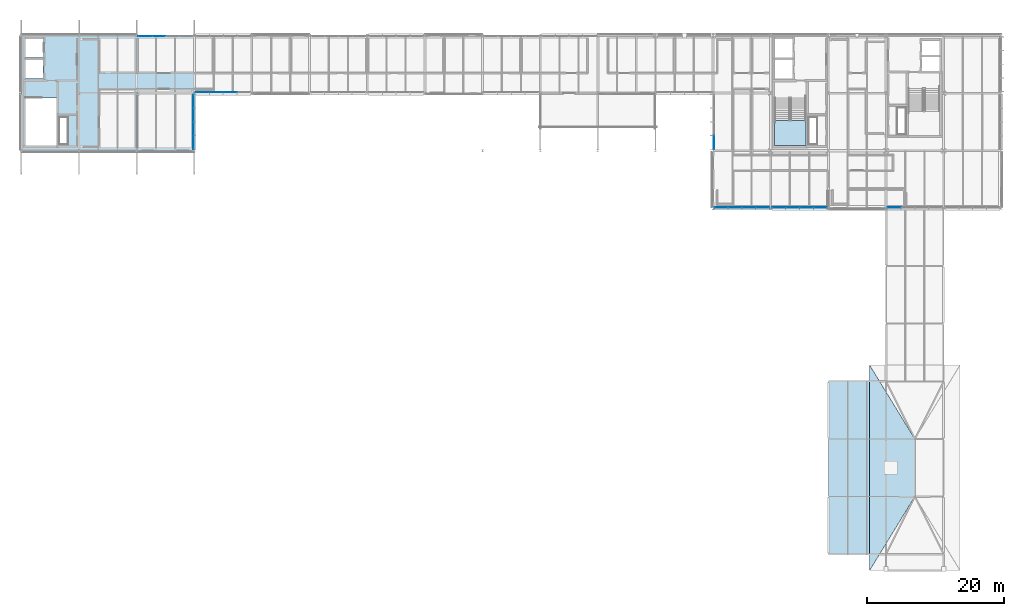
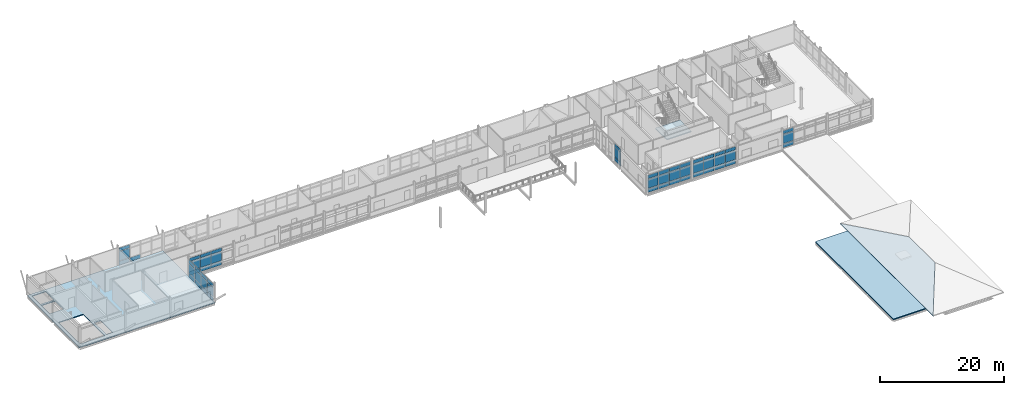
# One storey, part 41 of 57: 55 plates, 4 slabs, 9 elements without a shape of their own.
"""IFC4 building model written with IfcOpenShell, lengths in metres."""

from ifc_helpers import new_model, si_unit, direction, frame, origin, origin_2d, place, context, subcontext, project, spatial, polyline, rectangle, outline, extrude, material, layer, layer_set, type_object, element, aggregate, save


model = new_model("IFC4")

# Units and contexts
model_context = context("Model", 3, precision=1e-05, world=origin(), true_north=direction((0.0, 1.0)))
body_context = subcontext(model_context, "Body", "Model", "MODEL_VIEW")
ifc_project = project(units=[si_unit("LENGTHUNIT", "METRE"), si_unit("AREAUNIT", "SQUARE_METRE"), si_unit("VOLUMEUNIT", "CUBIC_METRE"), si_unit("PLANEANGLEUNIT", "RADIAN"), si_unit("MASSUNIT", "GRAM", prefix="KILO")], contexts=[model_context])

# Site, building, storey
site_placement = place(None, origin())
site = spatial("IfcSite", under=ifc_project, at=site_placement, CompositionType="ELEMENT")
building_placement = place(site_placement, origin())
building = spatial("IfcBuilding", under=site, at=building_placement, Name="Mersafa Astral City Hall", CompositionType="ELEMENT")
storey_placement = place(building_placement, frame((0.0, 0.0, 26.10009765625)))
storey = spatial("IfcBuildingStorey", under=building, at=storey_placement, Name="L06", CompositionType="ELEMENT", Elevation=26.10009765625)

# Curtain wall, plates
ifc_material_1 = material(Name="Anodised bronze aluminium framing", Category="aluminium")
curtain_wall_type_1 = type_object("IfcCurtainWallType", Name="ENV-CW-1", PredefinedType="USERDEFINED", material=ifc_material_1)
curtain_wall_1_placement = place(storey_placement, origin())
curtain_wall_1 = element("IfcCurtainWall", 1, at=curtain_wall_1_placement, inside=storey, type_object=curtain_wall_type_1, Name="L06 Unitised solar curtain wall 252", ObjectType="UNITISED CURTAIN WALL", PredefinedType="USERDEFINED")
ifc_material_2 = material(Name="Solar control low-e double glazing", Category="glass")
ifc_layer_1 = layer(ifc_material_2, 0.028076171875, Name="Solar control low-e double glazing")
ifc_layer_set_1 = layer_set([ifc_layer_1], Name="Solar control low-e double glazing — ENV-CW-PNL-GLZ-1")
plate_type_1 = type_object("IfcPlateType", Name="ENV-CW-PNL-GLZ-1", PredefinedType="CURTAIN_PANEL", material=ifc_layer_set_1)
plate_1_placement = place(storey_placement, frame((152.386474609375, 100.919921875, 0.05810546875), z_axis=(0.0, 0.0, 1.0), x_axis=(1.0, 0.0, 0.0)))
plate_1 = element("IfcPlate", 2, at=plate_1_placement, type_object=plate_type_1, Name="CW-1 panel 1.1", PredefinedType="CURTAIN_PANEL", context=body_context, shape_type="SweptSolid", body=[
    extrude(rectangle(XDim=1.928955078125, YDim=0.028076171875, at=origin_2d()), origin(), (0.0, 0.0, 1.0), 0.761962890625),
])
plate_2_placement = place(storey_placement, frame((152.386474609375, 100.919921875, 0.8798828125), z_axis=(0.0, 0.0, 1.0), x_axis=(1.0, 0.0, 0.0)))
plate_2 = element("IfcPlate", 3, at=plate_2_placement, type_object=plate_type_1, Name="CW-1 panel 1.2", PredefinedType="CURTAIN_PANEL", context=body_context, shape_type="SweptSolid", body=[
    extrude(rectangle(XDim=1.928955078125, YDim=0.028076171875, at=origin_2d()), origin(), (0.0, 0.0, 1.0), 1.840087890625),
])
plate_3_placement = place(storey_placement, frame((152.386474609375, 100.919921875, 2.77978515625), z_axis=(0.0, 0.0, 1.0), x_axis=(1.0, 0.0, 0.0)))
plate_3 = element("IfcPlate", 4, at=plate_3_placement, type_object=plate_type_1, Name="CW-1 panel 1.3", PredefinedType="CURTAIN_PANEL", context=body_context, shape_type="SweptSolid", body=[
    extrude(rectangle(XDim=1.928955078125, YDim=0.028076171875, at=origin_2d()), origin(), (0.0, 0.0, 1.0), 0.672119140625),
])
plate_4_placement = place(storey_placement, frame((154.390380859375, 100.919921875, 0.05810546875), z_axis=(0.0, 0.0, 1.0), x_axis=(1.0, 0.0, 0.0)))
plate_4 = element("IfcPlate", 5, at=plate_4_placement, type_object=plate_type_1, Name="CW-1 panel 2.1", PredefinedType="CURTAIN_PANEL", context=body_context, shape_type="SweptSolid", body=[
    extrude(rectangle(XDim=1.958984375, YDim=0.028076171875, at=origin_2d()), origin(), (0.0, 0.0, 1.0), 0.761962890625),
])
plate_5_placement = place(storey_placement, frame((154.390380859375, 100.919921875, 0.8798828125), z_axis=(0.0, 0.0, 1.0), x_axis=(1.0, 0.0, 0.0)))
plate_5 = element("IfcPlate", 6, at=plate_5_placement, type_object=plate_type_1, Name="CW-1 panel 2.2", PredefinedType="CURTAIN_PANEL", context=body_context, shape_type="SweptSolid", body=[
    extrude(rectangle(XDim=1.958984375, YDim=0.028076171875, at=origin_2d()), origin(), (0.0, 0.0, 1.0), 1.840087890625),
])
plate_6_placement = place(storey_placement, frame((154.390380859375, 100.919921875, 2.77978515625), z_axis=(0.0, 0.0, 1.0), x_axis=(1.0, 0.0, 0.0)))
plate_6 = element("IfcPlate", 7, at=plate_6_placement, type_object=plate_type_1, Name="CW-1 panel 2.3", PredefinedType="CURTAIN_PANEL", context=body_context, shape_type="SweptSolid", body=[
    extrude(rectangle(XDim=1.958984375, YDim=0.028076171875, at=origin_2d()), origin(), (0.0, 0.0, 1.0), 0.672119140625),
])
plate_7_placement = place(storey_placement, frame((156.409423828125, 100.919921875, 0.05810546875), z_axis=(0.0, 0.0, 1.0), x_axis=(1.0, 0.0, 0.0)))
plate_7 = element("IfcPlate", 8, at=plate_7_placement, type_object=plate_type_1, Name="CW-1 panel 3.1", PredefinedType="CURTAIN_PANEL", context=body_context, shape_type="SweptSolid", body=[
    extrude(rectangle(XDim=1.958984375, YDim=0.028076171875, at=origin_2d()), origin(), (0.0, 0.0, 1.0), 0.761962890625),
])
plate_8_placement = place(storey_placement, frame((156.409423828125, 100.919921875, 0.8798828125), z_axis=(0.0, 0.0, 1.0), x_axis=(1.0, 0.0, 0.0)))
plate_8 = element("IfcPlate", 9, at=plate_8_placement, type_object=plate_type_1, Name="CW-1 panel 3.2", PredefinedType="CURTAIN_PANEL", context=body_context, shape_type="SweptSolid", body=[
    extrude(rectangle(XDim=1.958984375, YDim=0.028076171875, at=origin_2d()), origin(), (0.0, 0.0, 1.0), 1.840087890625),
])
plate_9_placement = place(storey_placement, frame((156.409423828125, 100.919921875, 2.77978515625), z_axis=(0.0, 0.0, 1.0), x_axis=(1.0, 0.0, 0.0)))
plate_9 = element("IfcPlate", 10, at=plate_9_placement, type_object=plate_type_1, Name="CW-1 panel 3.3", PredefinedType="CURTAIN_PANEL", context=body_context, shape_type="SweptSolid", body=[
    extrude(rectangle(XDim=1.958984375, YDim=0.028076171875, at=origin_2d()), origin(), (0.0, 0.0, 1.0), 0.672119140625),
])
plate_10_placement = place(storey_placement, frame((158.41357421875, 100.919921875, 0.05810546875), z_axis=(0.0, 0.0, 1.0), x_axis=(1.0, 0.0, 0.0)))
plate_10 = element("IfcPlate", 11, at=plate_10_placement, type_object=plate_type_1, Name="CW-1 panel 4.1", PredefinedType="CURTAIN_PANEL", context=body_context, shape_type="SweptSolid", body=[
    extrude(rectangle(XDim=1.928955078125, YDim=0.028076171875, at=origin_2d()), origin(), (0.0, 0.0, 1.0), 0.761962890625),
])
plate_11_placement = place(storey_placement, frame((158.41357421875, 100.919921875, 0.8798828125), z_axis=(0.0, 0.0, 1.0), x_axis=(1.0, 0.0, 0.0)))
plate_11 = element("IfcPlate", 12, at=plate_11_placement, type_object=plate_type_1, Name="CW-1 panel 4.2", PredefinedType="CURTAIN_PANEL", context=body_context, shape_type="SweptSolid", body=[
    extrude(rectangle(XDim=1.928955078125, YDim=0.028076171875, at=origin_2d()), origin(), (0.0, 0.0, 1.0), 1.840087890625),
])
plate_12_placement = place(storey_placement, frame((158.41357421875, 100.919921875, 2.77978515625), z_axis=(0.0, 0.0, 1.0), x_axis=(1.0, 0.0, 0.0)))
plate_12 = element("IfcPlate", 13, at=plate_12_placement, type_object=plate_type_1, Name="CW-1 panel 4.3", PredefinedType="CURTAIN_PANEL", context=body_context, shape_type="SweptSolid", body=[
    extrude(rectangle(XDim=1.928955078125, YDim=0.028076171875, at=origin_2d()), origin(), (0.0, 0.0, 1.0), 0.672119140625),
])
aggregate(curtain_wall_1, [plate_1, plate_2, plate_3, plate_4, plate_5, plate_6, plate_7, plate_8, plate_9, plate_10, plate_11, plate_12])

curtain_wall_2_placement = place(storey_placement, origin())
curtain_wall_2 = element("IfcCurtainWall", 14, at=curtain_wall_2_placement, inside=storey, type_object=curtain_wall_type_1, Name="L06 Unitised solar curtain wall 264", ObjectType="UNITISED CURTAIN WALL", PredefinedType="USERDEFINED")
plate_13_placement = place(storey_placement, frame((68.386474609375, 117.719970703125, 0.05810546875), z_axis=(0.0, 0.0, 1.0), x_axis=(1.0, 0.0, 0.0)))
plate_13 = element("IfcPlate", 15, at=plate_13_placement, type_object=plate_type_1, Name="CW-1 panel 1.1", PredefinedType="CURTAIN_PANEL", context=body_context, shape_type="SweptSolid", body=[
    extrude(rectangle(XDim=1.928955078125, YDim=0.028076171875, at=origin_2d()), origin(), (0.0, 0.0, 1.0), 0.761962890625),
])
plate_14_placement = place(storey_placement, frame((68.386474609375, 117.719970703125, 0.8798828125), z_axis=(0.0, 0.0, 1.0), x_axis=(1.0, 0.0, 0.0)))
plate_14 = element("IfcPlate", 16, at=plate_14_placement, type_object=plate_type_1, Name="CW-1 panel 1.2", PredefinedType="CURTAIN_PANEL", context=body_context, shape_type="SweptSolid", body=[
    extrude(rectangle(XDim=1.928955078125, YDim=0.028076171875, at=origin_2d()), origin(), (0.0, 0.0, 1.0), 1.840087890625),
])
plate_15_placement = place(storey_placement, frame((68.386474609375, 117.719970703125, 2.780029296875), z_axis=(0.0, 0.0, 1.0), x_axis=(1.0, 0.0, 0.0)))
plate_15 = element("IfcPlate", 17, at=plate_15_placement, type_object=plate_type_1, Name="CW-1 panel 1.3", PredefinedType="CURTAIN_PANEL", context=body_context, shape_type="SweptSolid", body=[
    extrude(rectangle(XDim=1.928955078125, YDim=0.028076171875, at=origin_2d()), origin(), (0.0, 0.0, 1.0), 0.64697265625),
])
plate_16_placement = place(storey_placement, frame((70.390380859375, 117.719970703125, 0.05810546875), z_axis=(0.0, 0.0, 1.0), x_axis=(1.0, 0.0, 0.0)))
plate_16 = element("IfcPlate", 18, at=plate_16_placement, type_object=plate_type_1, Name="CW-1 panel 2.1", PredefinedType="CURTAIN_PANEL", context=body_context, shape_type="SweptSolid", body=[
    extrude(rectangle(XDim=1.958984375, YDim=0.028076171875, at=origin_2d()), origin(), (0.0, 0.0, 1.0), 0.761962890625),
])
plate_17_placement = place(storey_placement, frame((70.390380859375, 117.719970703125, 0.8798828125), z_axis=(0.0, 0.0, 1.0), x_axis=(1.0, 0.0, 0.0)))
plate_17 = element("IfcPlate", 19, at=plate_17_placement, type_object=plate_type_1, Name="CW-1 panel 2.2", PredefinedType="CURTAIN_PANEL", context=body_context, shape_type="SweptSolid", body=[
    extrude(rectangle(XDim=1.958984375, YDim=0.028076171875, at=origin_2d()), origin(), (0.0, 0.0, 1.0), 1.840087890625),
])
plate_18_placement = place(storey_placement, frame((70.390380859375, 117.719970703125, 2.780029296875), z_axis=(0.0, 0.0, 1.0), x_axis=(1.0, 0.0, 0.0)))
plate_18 = element("IfcPlate", 20, at=plate_18_placement, type_object=plate_type_1, Name="CW-1 panel 2.3", PredefinedType="CURTAIN_PANEL", context=body_context, shape_type="SweptSolid", body=[
    extrude(rectangle(XDim=1.958984375, YDim=0.028076171875, at=origin_2d()), origin(), (0.0, 0.0, 1.0), 0.64697265625),
])
plate_19_placement = place(storey_placement, frame((72.409423828125, 117.719970703125, 0.05810546875), z_axis=(0.0, 0.0, 1.0), x_axis=(1.0, 0.0, 0.0)))
plate_19 = element("IfcPlate", 21, at=plate_19_placement, type_object=plate_type_1, Name="CW-1 panel 3.1", PredefinedType="CURTAIN_PANEL", context=body_context, shape_type="SweptSolid", body=[
    extrude(rectangle(XDim=1.958984375, YDim=0.028076171875, at=origin_2d()), origin(), (0.0, 0.0, 1.0), 0.761962890625),
])
plate_20_placement = place(storey_placement, frame((72.409423828125, 117.719970703125, 0.8798828125), z_axis=(0.0, 0.0, 1.0), x_axis=(1.0, 0.0, 0.0)))
plate_20 = element("IfcPlate", 22, at=plate_20_placement, type_object=plate_type_1, Name="CW-1 panel 3.2", PredefinedType="CURTAIN_PANEL", context=body_context, shape_type="SweptSolid", body=[
    extrude(rectangle(XDim=1.958984375, YDim=0.028076171875, at=origin_2d()), origin(), (0.0, 0.0, 1.0), 1.840087890625),
])
plate_21_placement = place(storey_placement, frame((72.409423828125, 117.719970703125, 2.780029296875), z_axis=(0.0, 0.0, 1.0), x_axis=(1.0, 0.0, 0.0)))
plate_21 = element("IfcPlate", 23, at=plate_21_placement, type_object=plate_type_1, Name="CW-1 panel 3.3", PredefinedType="CURTAIN_PANEL", context=body_context, shape_type="SweptSolid", body=[
    extrude(rectangle(XDim=1.958984375, YDim=0.028076171875, at=origin_2d()), origin(), (0.0, 0.0, 1.0), 0.64697265625),
])
aggregate(curtain_wall_2, [plate_13, plate_14, plate_15, plate_16, plate_17, plate_18, plate_19, plate_20, plate_21])

curtain_wall_type_2 = type_object("IfcCurtainWallType", Name="ENV-CW-2", PredefinedType="USERDEFINED", material=ifc_material_1)
curtain_wall_3_placement = place(storey_placement, origin())
curtain_wall_3 = element("IfcCurtainWall", 24, at=curtain_wall_3_placement, inside=storey, type_object=curtain_wall_type_2, Name="L06 Unitised solar curtain wall 253", ObjectType="UNITISED CURTAIN WALL", PredefinedType="USERDEFINED")
ifc_layer_2 = layer(ifc_material_2, 0.031982421875, Name="Solar control low-e double glazing")
ifc_layer_set_2 = layer_set([ifc_layer_2], Name="Solar control low-e double glazing — ENV-CW-PNL-GLZ-2")
plate_type_2 = type_object("IfcPlateType", Name="ENV-CW-PNL-GLZ-2", PredefinedType="CURTAIN_PANEL", material=ifc_layer_set_2)
plate_22_placement = place(storey_placement, frame((169.1865234375, 100.919921875, 0.05810546875), z_axis=(0.0, 0.0, 1.0), x_axis=(1.0, 0.0, 0.0)))
plate_22 = element("IfcPlate", 25, at=plate_22_placement, type_object=plate_type_2, Name="CW-2 panel 1.1", PredefinedType="CURTAIN_PANEL", context=body_context, shape_type="SweptSolid", body=[
    extrude(rectangle(XDim=1.928955078125, YDim=0.031982421875, at=origin_2d()), origin(), (0.0, 0.0, 1.0), 0.761962890625),
])
plate_23_placement = place(storey_placement, frame((169.1865234375, 100.919921875, 0.8798828125), z_axis=(0.0, 0.0, 1.0), x_axis=(1.0, 0.0, 0.0)))
plate_23 = element("IfcPlate", 26, at=plate_23_placement, type_object=plate_type_2, Name="CW-2 panel 1.2", PredefinedType="CURTAIN_PANEL", context=body_context, shape_type="SweptSolid", body=[
    extrude(rectangle(XDim=1.928955078125, YDim=0.031982421875, at=origin_2d()), origin(), (0.0, 0.0, 1.0), 1.840087890625),
])
plate_24_placement = place(storey_placement, frame((169.1865234375, 100.919921875, 2.780029296875), z_axis=(0.0, 0.0, 1.0), x_axis=(1.0, 0.0, 0.0)))
plate_24 = element("IfcPlate", 27, at=plate_24_placement, type_object=plate_type_2, Name="CW-2 panel 1.3", PredefinedType="CURTAIN_PANEL", context=body_context, shape_type="SweptSolid", body=[
    extrude(rectangle(XDim=1.928955078125, YDim=0.031982421875, at=origin_2d()), origin(), (0.0, 0.0, 1.0), 0.64697265625),
])
aggregate(curtain_wall_3, [plate_22, plate_23, plate_24])

curtain_wall_type_3 = type_object("IfcCurtainWallType", Name="ENV-CW-5", PredefinedType="USERDEFINED", material=ifc_material_1)
curtain_wall_4_placement = place(storey_placement, origin())
curtain_wall_4 = element("IfcCurtainWall", 28, at=curtain_wall_4_placement, inside=storey, type_object=curtain_wall_type_3, Name="L06 Unitised solar curtain wall 250", ObjectType="UNITISED CURTAIN WALL", PredefinedType="USERDEFINED")
ifc_layer_3 = layer(ifc_material_2, 0.035888671875, Name="Solar control low-e double glazing")
ifc_layer_set_3 = layer_set([ifc_layer_3], Name="Solar control low-e double glazing — ENV-CW-PNL-GLZ-3")
plate_type_3 = type_object("IfcPlateType", Name="ENV-CW-PNL-GLZ-3", PredefinedType="CURTAIN_PANEL", material=ifc_layer_set_3)
plate_25_placement = place(storey_placement, frame((142.919921875, 110.41015625, 0.05810546875), z_axis=(0.0, 0.0, 1.0), x_axis=(0.0, -1.0, 0.0)))
plate_25 = element("IfcPlate", 29, at=plate_25_placement, type_object=plate_type_3, Name="CW-5 panel 4.1", PredefinedType="CURTAIN_PANEL", context=body_context, shape_type="SweptSolid", body=[
    extrude(rectangle(XDim=1.91650390625, YDim=0.035888671875, at=origin_2d()), origin(), (0.0, 0.0, 1.0), 0.761962890625),
])
plate_26_placement = place(storey_placement, frame((142.919921875, 110.41015625, 0.8798828125), z_axis=(0.0, 0.0, 1.0), x_axis=(0.0, -1.0, 0.0)))
plate_26 = element("IfcPlate", 30, at=plate_26_placement, type_object=plate_type_3, Name="CW-5 panel 4.2", PredefinedType="CURTAIN_PANEL", context=body_context, shape_type="SweptSolid", body=[
    extrude(rectangle(XDim=1.91650390625, YDim=0.035888671875, at=origin_2d()), origin(), (0.0, 0.0, 1.0), 1.840087890625),
])
plate_27_placement = place(storey_placement, frame((142.919921875, 110.41015625, 2.77978515625), z_axis=(0.0, 0.0, 1.0), x_axis=(0.0, -1.0, 0.0)))
plate_27 = element("IfcPlate", 31, at=plate_27_placement, type_object=plate_type_3, Name="CW-5 panel 4.3", PredefinedType="CURTAIN_PANEL", context=body_context, shape_type="SweptSolid", body=[
    extrude(rectangle(XDim=1.91650390625, YDim=0.035888671875, at=origin_2d()), origin(), (0.0, 0.0, 1.0), 0.681884765625),
])
aggregate(curtain_wall_4, [plate_25, plate_26, plate_27])

curtain_wall_5_placement = place(storey_placement, origin())
curtain_wall_5 = element("IfcCurtainWall", 32, at=curtain_wall_5_placement, inside=storey, type_object=curtain_wall_type_3, Name="L06 Unitised solar curtain wall 262", ObjectType="UNITISED CURTAIN WALL", PredefinedType="USERDEFINED")
plate_28_placement = place(storey_placement, frame((61.990478515625, 125.8798828125, 0.05810546875), z_axis=(0.0, 0.0, 1.0), x_axis=(-1.0, 0.0, 0.0)))
plate_28 = element("IfcPlate", 33, at=plate_28_placement, type_object=plate_type_3, Name="CW-5 panel 3.1", PredefinedType="CURTAIN_PANEL", context=body_context, shape_type="SweptSolid", body=[
    extrude(rectangle(XDim=1.958984375, YDim=0.035888671875, at=origin_2d()), origin(), (0.0, 0.0, 1.0), 0.761962890625),
])
plate_29_placement = place(storey_placement, frame((59.986572265625, 125.8798828125, 0.05810546875), z_axis=(0.0, 0.0, 1.0), x_axis=(-1.0, 0.0, 0.0)))
plate_29 = element("IfcPlate", 34, at=plate_29_placement, type_object=plate_type_3, Name="CW-5 panel 4.1", PredefinedType="CURTAIN_PANEL", context=body_context, shape_type="SweptSolid", body=[
    extrude(rectangle(XDim=1.928955078125, YDim=0.035888671875, at=origin_2d()), origin(), (0.0, 0.0, 1.0), 0.761962890625),
])
plate_30_placement = place(storey_placement, frame((59.986572265625, 125.8798828125, 0.8798828125), z_axis=(0.0, 0.0, 1.0), x_axis=(-1.0, 0.0, 0.0)))
plate_30 = element("IfcPlate", 35, at=plate_30_placement, type_object=plate_type_3, Name="CW-5 panel 4.2", PredefinedType="CURTAIN_PANEL", context=body_context, shape_type="SweptSolid", body=[
    extrude(rectangle(XDim=1.928955078125, YDim=0.035888671875, at=origin_2d()), origin(), (0.0, 0.0, 1.0), 1.840087890625),
])
plate_31_placement = place(storey_placement, frame((59.986572265625, 125.8798828125, 2.77978515625), z_axis=(0.0, 0.0, 1.0), x_axis=(-1.0, 0.0, 0.0)))
plate_31 = element("IfcPlate", 36, at=plate_31_placement, type_object=plate_type_3, Name="CW-5 panel 4.3", PredefinedType="CURTAIN_PANEL", context=body_context, shape_type="SweptSolid", body=[
    extrude(rectangle(XDim=1.928955078125, YDim=0.035888671875, at=origin_2d()), origin(), (0.0, 0.0, 1.0), 0.672119140625),
])
aggregate(curtain_wall_5, [plate_28, plate_29, plate_30, plate_31])

curtain_wall_type_4 = type_object("IfcCurtainWallType", Name="ENV-CW-6", PredefinedType="USERDEFINED", material=ifc_material_1)
curtain_wall_6_placement = place(storey_placement, origin())
curtain_wall_6 = element("IfcCurtainWall", 37, at=curtain_wall_6_placement, inside=storey, type_object=curtain_wall_type_4, Name="L06 Unitised solar curtain wall 251", ObjectType="UNITISED CURTAIN WALL", PredefinedType="USERDEFINED")
ifc_layer_4 = layer(ifc_material_2, 0.0400390625, Name="Solar control low-e double glazing")
ifc_layer_set_4 = layer_set([ifc_layer_4], Name="Solar control low-e double glazing — ENV-CW-PNL-GLZ-4")
plate_type_4 = type_object("IfcPlateType", Name="ENV-CW-PNL-GLZ-4", PredefinedType="CURTAIN_PANEL", material=ifc_layer_set_4)
plate_32_placement = place(storey_placement, frame((143.986572265625, 100.919921875, 0.05810546875), z_axis=(0.0, 0.0, 1.0), x_axis=(1.0, 0.0, 0.0)))
plate_32 = element("IfcPlate", 38, at=plate_32_placement, type_object=plate_type_4, Name="CW-6 panel 1.1", PredefinedType="CURTAIN_PANEL", context=body_context, shape_type="SweptSolid", body=[
    extrude(rectangle(XDim=1.928955078125, YDim=0.0400390625, at=origin_2d()), origin(), (0.0, 0.0, 1.0), 0.761962890625),
])
plate_33_placement = place(storey_placement, frame((143.986572265625, 100.919921875, 0.8798828125), z_axis=(0.0, 0.0, 1.0), x_axis=(1.0, 0.0, 0.0)))
plate_33 = element("IfcPlate", 39, at=plate_33_placement, type_object=plate_type_4, Name="CW-6 panel 1.2", PredefinedType="CURTAIN_PANEL", context=body_context, shape_type="SweptSolid", body=[
    extrude(rectangle(XDim=1.928955078125, YDim=0.0400390625, at=origin_2d()), origin(), (0.0, 0.0, 1.0), 1.840087890625),
])
plate_34_placement = place(storey_placement, frame((143.986572265625, 100.919921875, 2.77978515625), z_axis=(0.0, 0.0, 1.0), x_axis=(1.0, 0.0, 0.0)))
plate_34 = element("IfcPlate", 40, at=plate_34_placement, type_object=plate_type_4, Name="CW-6 panel 1.3", PredefinedType="CURTAIN_PANEL", context=body_context, shape_type="SweptSolid", body=[
    extrude(rectangle(XDim=1.928955078125, YDim=0.0400390625, at=origin_2d()), origin(), (0.0, 0.0, 1.0), 0.701904296875),
])
plate_35_placement = place(storey_placement, frame((145.990478515625, 100.919921875, 0.05810546875), z_axis=(0.0, 0.0, 1.0), x_axis=(1.0, 0.0, 0.0)))
plate_35 = element("IfcPlate", 41, at=plate_35_placement, type_object=plate_type_4, Name="CW-6 panel 2.1", PredefinedType="CURTAIN_PANEL", context=body_context, shape_type="SweptSolid", body=[
    extrude(rectangle(XDim=1.958984375, YDim=0.0400390625, at=origin_2d()), origin(), (0.0, 0.0, 1.0), 0.761962890625),
])
plate_36_placement = place(storey_placement, frame((145.990478515625, 100.919921875, 0.8798828125), z_axis=(0.0, 0.0, 1.0), x_axis=(1.0, 0.0, 0.0)))
plate_36 = element("IfcPlate", 42, at=plate_36_placement, type_object=plate_type_4, Name="CW-6 panel 2.2", PredefinedType="CURTAIN_PANEL", context=body_context, shape_type="SweptSolid", body=[
    extrude(rectangle(XDim=1.958984375, YDim=0.0400390625, at=origin_2d()), origin(), (0.0, 0.0, 1.0), 1.840087890625),
])
plate_37_placement = place(storey_placement, frame((145.990478515625, 100.919921875, 2.77978515625), z_axis=(0.0, 0.0, 1.0), x_axis=(1.0, 0.0, 0.0)))
plate_37 = element("IfcPlate", 43, at=plate_37_placement, type_object=plate_type_4, Name="CW-6 panel 2.3", PredefinedType="CURTAIN_PANEL", context=body_context, shape_type="SweptSolid", body=[
    extrude(rectangle(XDim=1.958984375, YDim=0.0400390625, at=origin_2d()), origin(), (0.0, 0.0, 1.0), 0.701904296875),
])
plate_38_placement = place(storey_placement, frame((148.009521484375, 100.919921875, 0.05810546875), z_axis=(0.0, 0.0, 1.0), x_axis=(1.0, 0.0, 0.0)))
plate_38 = element("IfcPlate", 44, at=plate_38_placement, type_object=plate_type_4, Name="CW-6 panel 3.1", PredefinedType="CURTAIN_PANEL", context=body_context, shape_type="SweptSolid", body=[
    extrude(rectangle(XDim=1.958984375, YDim=0.0400390625, at=origin_2d()), origin(), (0.0, 0.0, 1.0), 0.761962890625),
])
plate_39_placement = place(storey_placement, frame((148.009521484375, 100.919921875, 0.8798828125), z_axis=(0.0, 0.0, 1.0), x_axis=(1.0, 0.0, 0.0)))
plate_39 = element("IfcPlate", 45, at=plate_39_placement, type_object=plate_type_4, Name="CW-6 panel 3.2", PredefinedType="CURTAIN_PANEL", context=body_context, shape_type="SweptSolid", body=[
    extrude(rectangle(XDim=1.958984375, YDim=0.0400390625, at=origin_2d()), origin(), (0.0, 0.0, 1.0), 1.840087890625),
])
plate_40_placement = place(storey_placement, frame((148.009521484375, 100.919921875, 2.77978515625), z_axis=(0.0, 0.0, 1.0), x_axis=(1.0, 0.0, 0.0)))
plate_40 = element("IfcPlate", 46, at=plate_40_placement, type_object=plate_type_4, Name="CW-6 panel 3.3", PredefinedType="CURTAIN_PANEL", context=body_context, shape_type="SweptSolid", body=[
    extrude(rectangle(XDim=1.958984375, YDim=0.0400390625, at=origin_2d()), origin(), (0.0, 0.0, 1.0), 0.701904296875),
])
plate_41_placement = place(storey_placement, frame((150.013427734375, 100.919921875, 0.05810546875), z_axis=(0.0, 0.0, 1.0), x_axis=(1.0, 0.0, 0.0)))
plate_41 = element("IfcPlate", 47, at=plate_41_placement, type_object=plate_type_4, Name="CW-6 panel 4.1", PredefinedType="CURTAIN_PANEL", context=body_context, shape_type="SweptSolid", body=[
    extrude(rectangle(XDim=1.928955078125, YDim=0.0400390625, at=origin_2d()), origin(), (0.0, 0.0, 1.0), 0.761962890625),
])
plate_42_placement = place(storey_placement, frame((150.013427734375, 100.919921875, 0.8798828125), z_axis=(0.0, 0.0, 1.0), x_axis=(1.0, 0.0, 0.0)))
plate_42 = element("IfcPlate", 48, at=plate_42_placement, type_object=plate_type_4, Name="CW-6 panel 4.2", PredefinedType="CURTAIN_PANEL", context=body_context, shape_type="SweptSolid", body=[
    extrude(rectangle(XDim=1.928955078125, YDim=0.0400390625, at=origin_2d()), origin(), (0.0, 0.0, 1.0), 1.840087890625),
])
plate_43_placement = place(storey_placement, frame((150.013427734375, 100.919921875, 2.77978515625), z_axis=(0.0, 0.0, 1.0), x_axis=(1.0, 0.0, 0.0)))
plate_43 = element("IfcPlate", 49, at=plate_43_placement, type_object=plate_type_4, Name="CW-6 panel 4.3", PredefinedType="CURTAIN_PANEL", context=body_context, shape_type="SweptSolid", body=[
    extrude(rectangle(XDim=1.928955078125, YDim=0.0400390625, at=origin_2d()), origin(), (0.0, 0.0, 1.0), 0.701904296875),
])
aggregate(curtain_wall_6, [plate_32, plate_33, plate_34, plate_35, plate_36, plate_37, plate_38, plate_39, plate_40, plate_41, plate_42, plate_43])

curtain_wall_7_placement = place(storey_placement, origin())
curtain_wall_7 = element("IfcCurtainWall", 50, at=curtain_wall_7_placement, inside=storey, type_object=curtain_wall_type_4, Name="L06 Unitised solar curtain wall 263", ObjectType="UNITISED CURTAIN WALL", PredefinedType="USERDEFINED")
plate_44_placement = place(storey_placement, frame((67.080078125, 110.386474609375, 0.05810546875), z_axis=(0.0, 0.0, 1.0), x_axis=(0.0, 1.0, 0.0)))
plate_44 = element("IfcPlate", 51, at=plate_44_placement, type_object=plate_type_4, Name="CW-6 panel 1.1", PredefinedType="CURTAIN_PANEL", context=body_context, shape_type="SweptSolid", body=[
    extrude(rectangle(XDim=1.928955078125, YDim=0.0400390625, at=origin_2d()), origin(), (0.0, 0.0, 1.0), 0.761962890625),
])
plate_45_placement = place(storey_placement, frame((67.080078125, 110.386474609375, 0.8798828125), z_axis=(0.0, 0.0, 1.0), x_axis=(0.0, 1.0, 0.0)))
plate_45 = element("IfcPlate", 52, at=plate_45_placement, type_object=plate_type_4, Name="CW-6 panel 1.2", PredefinedType="CURTAIN_PANEL", context=body_context, shape_type="SweptSolid", body=[
    extrude(rectangle(XDim=1.928955078125, YDim=0.0400390625, at=origin_2d()), origin(), (0.0, 0.0, 1.0), 1.840087890625),
])
plate_46_placement = place(storey_placement, frame((67.080078125, 110.386474609375, 2.77978515625), z_axis=(0.0, 0.0, 1.0), x_axis=(0.0, 1.0, 0.0)))
plate_46 = element("IfcPlate", 53, at=plate_46_placement, type_object=plate_type_4, Name="CW-6 panel 1.3", PredefinedType="CURTAIN_PANEL", context=body_context, shape_type="SweptSolid", body=[
    extrude(rectangle(XDim=1.928955078125, YDim=0.0400390625, at=origin_2d()), origin(), (0.0, 0.0, 1.0), 0.761962890625),
])
plate_47_placement = place(storey_placement, frame((67.080078125, 112.390380859375, 0.05810546875), z_axis=(0.0, 0.0, 1.0), x_axis=(0.0, 1.0, 0.0)))
plate_47 = element("IfcPlate", 54, at=plate_47_placement, type_object=plate_type_4, Name="CW-6 panel 2.1", PredefinedType="CURTAIN_PANEL", context=body_context, shape_type="SweptSolid", body=[
    extrude(rectangle(XDim=1.958984375, YDim=0.0400390625, at=origin_2d()), origin(), (0.0, 0.0, 1.0), 0.761962890625),
])
plate_48_placement = place(storey_placement, frame((67.080078125, 112.390380859375, 0.8798828125), z_axis=(0.0, 0.0, 1.0), x_axis=(0.0, 1.0, 0.0)))
plate_48 = element("IfcPlate", 55, at=plate_48_placement, type_object=plate_type_4, Name="CW-6 panel 2.2", PredefinedType="CURTAIN_PANEL", context=body_context, shape_type="SweptSolid", body=[
    extrude(rectangle(XDim=1.958984375, YDim=0.0400390625, at=origin_2d()), origin(), (0.0, 0.0, 1.0), 1.840087890625),
])
plate_49_placement = place(storey_placement, frame((67.080078125, 112.390380859375, 2.77978515625), z_axis=(0.0, 0.0, 1.0), x_axis=(0.0, 1.0, 0.0)))
plate_49 = element("IfcPlate", 56, at=plate_49_placement, type_object=plate_type_4, Name="CW-6 panel 2.3", PredefinedType="CURTAIN_PANEL", context=body_context, shape_type="SweptSolid", body=[
    extrude(rectangle(XDim=1.958984375, YDim=0.0400390625, at=origin_2d()), origin(), (0.0, 0.0, 1.0), 0.761962890625),
])
plate_50_placement = place(storey_placement, frame((67.080078125, 114.409423828125, 0.05810546875), z_axis=(0.0, 0.0, 1.0), x_axis=(0.0, 1.0, 0.0)))
plate_50 = element("IfcPlate", 57, at=plate_50_placement, type_object=plate_type_4, Name="CW-6 panel 3.1", PredefinedType="CURTAIN_PANEL", context=body_context, shape_type="SweptSolid", body=[
    extrude(rectangle(XDim=1.958984375, YDim=0.0400390625, at=origin_2d()), origin(), (0.0, 0.0, 1.0), 0.761962890625),
])
plate_51_placement = place(storey_placement, frame((67.080078125, 114.409423828125, 0.8798828125), z_axis=(0.0, 0.0, 1.0), x_axis=(0.0, 1.0, 0.0)))
plate_51 = element("IfcPlate", 58, at=plate_51_placement, type_object=plate_type_4, Name="CW-6 panel 3.2", PredefinedType="CURTAIN_PANEL", context=body_context, shape_type="SweptSolid", body=[
    extrude(rectangle(XDim=1.958984375, YDim=0.0400390625, at=origin_2d()), origin(), (0.0, 0.0, 1.0), 1.840087890625),
])
plate_52_placement = place(storey_placement, frame((67.080078125, 114.409423828125, 2.77978515625), z_axis=(0.0, 0.0, 1.0), x_axis=(0.0, 1.0, 0.0)))
plate_52 = element("IfcPlate", 59, at=plate_52_placement, type_object=plate_type_4, Name="CW-6 panel 3.3", PredefinedType="CURTAIN_PANEL", context=body_context, shape_type="SweptSolid", body=[
    extrude(rectangle(XDim=1.958984375, YDim=0.0400390625, at=origin_2d()), origin(), (0.0, 0.0, 1.0), 0.761962890625),
])
plate_53_placement = place(storey_placement, frame((67.080078125, 116.41357421875, 0.05810546875), z_axis=(0.0, 0.0, 1.0), x_axis=(0.0, 1.0, 0.0)))
plate_53 = element("IfcPlate", 60, at=plate_53_placement, type_object=plate_type_4, Name="CW-6 panel 4.1", PredefinedType="CURTAIN_PANEL", context=body_context, shape_type="SweptSolid", body=[
    extrude(rectangle(XDim=1.928955078125, YDim=0.0400390625, at=origin_2d()), origin(), (0.0, 0.0, 1.0), 0.761962890625),
])
plate_54_placement = place(storey_placement, frame((67.080078125, 116.41357421875, 0.8798828125), z_axis=(0.0, 0.0, 1.0), x_axis=(0.0, 1.0, 0.0)))
plate_54 = element("IfcPlate", 61, at=plate_54_placement, type_object=plate_type_4, Name="CW-6 panel 4.2", PredefinedType="CURTAIN_PANEL", context=body_context, shape_type="SweptSolid", body=[
    extrude(rectangle(XDim=1.928955078125, YDim=0.0400390625, at=origin_2d()), origin(), (0.0, 0.0, 1.0), 1.840087890625),
])
plate_55_placement = place(storey_placement, frame((67.080078125, 116.41357421875, 2.77978515625), z_axis=(0.0, 0.0, 1.0), x_axis=(0.0, 1.0, 0.0)))
plate_55 = element("IfcPlate", 62, at=plate_55_placement, type_object=plate_type_4, Name="CW-6 panel 4.3", PredefinedType="CURTAIN_PANEL", context=body_context, shape_type="SweptSolid", body=[
    extrude(rectangle(XDim=1.928955078125, YDim=0.0400390625, at=origin_2d()), origin(), (0.0, 0.0, 1.0), 0.761962890625),
])
aggregate(curtain_wall_7, [plate_44, plate_45, plate_46, plate_47, plate_48, plate_49, plate_50, plate_51, plate_52, plate_53, plate_54, plate_55])

# Stair, slab
ifc_material_3 = material(Name="Concrete C40/50", Category="concrete")
stair_type = type_object("IfcStairType", Name="STAIR", PredefinedType="HALF_TURN_STAIR", material=ifc_material_3)
stair_placement = place(storey_placement, origin())
stair = element("IfcStair", 63, at=stair_placement, inside=storey, type_object=stair_type, Name="L06 Protected Exit Stair ST1", PredefinedType="HALF_TURN_STAIR")
ifc_layer_5 = layer(ifc_material_3, 0.199951171875, Name="Concrete C40/50")
ifc_layer_set_5 = layer_set([ifc_layer_5], Name="Concrete C40/50 — STAIR-LANDING")
slab_type_1 = type_object("IfcSlabType", Name="STAIR-LANDING", PredefinedType="LANDING", material=ifc_layer_set_5)
slab_1_placement = place(storey_placement, frame((0.0, 0.0, 1.824951171875)))
slab_1 = element("IfcSlab", 64, at=slab_1_placement, type_object=slab_type_1, Name="ST1 landing 1", PredefinedType="LANDING", context=body_context, shape_type="SweptSolid", body=[
    extrude(outline(polyline([(151.780029296875, 113.60009765625), (151.780029296875, 109.949951171875), (156.340087890625, 109.949951171875), (156.340087890625, 113.60009765625), (151.780029296875, 113.60009765625)])), origin(), (0.0, 0.0, 1.0), 0.199951171875),
])
aggregate(stair, [slab_1])

# Slabs
ifc_material_4 = material(Name="Concrete C35/45", Category="concrete")
ifc_layer_6 = layer(ifc_material_4, 0.175048828125, Name="Concrete C35/45")
ifc_layer_set_6 = layer_set([ifc_layer_6], Name="Concrete C35/45 — STR-SLAB-FLR-175")
slab_type_2 = type_object("IfcSlabType", Name="STR-SLAB-FLR-175", PredefinedType="FLOOR", material=ifc_layer_set_6)
slab_2_placement = place(storey_placement, frame((0.0, 0.0, -0.175048828125)))
element("IfcSlab", 65, at=slab_2_placement, inside=storey, type_object=slab_type_2, Name="L06 V4 structural floor slab 1", PredefinedType="FLOOR", context=body_context, shape_type="SweptSolid", body=[
    extrude(outline(polyline([(42.0, 126.0), (50.39990234375, 126.0), (58.800048828125, 126.0), (67.199951171875, 126.0), (67.199951171875, 117.60009765625), (67.199951171875, 109.199951171875), (58.800048828125, 109.199951171875), (50.39990234375, 109.199951171875), (42.0, 109.199951171875), (42.0, 117.60009765625), (42.0, 126.0)]), holes=[polyline([(47.550048828125, 114.050048828125), (47.550048828125, 110.14990234375), (48.72998046875, 110.14990234375), (48.72998046875, 114.050048828125), (47.550048828125, 114.050048828125)]), polyline([(42.580078125, 109.949951171875), (47.139892578125, 109.949951171875), (47.139892578125, 116.89990234375), (42.580078125, 116.89990234375), (42.580078125, 109.949951171875)]), polyline([(45.179931640625, 122.449951171875), (42.580078125, 122.449951171875), (42.580078125, 119.75), (45.179931640625, 119.75), (45.179931640625, 122.449951171875)]), polyline([(45.179931640625, 125.5), (42.580078125, 125.5), (42.580078125, 122.800048828125), (45.179931640625, 122.800048828125), (45.179931640625, 125.5)])]), origin(), (0.0, 0.0, 1.0), 0.175048828125),
])
ifc_layer_7 = layer(ifc_material_3, 0.199951171875, Name="Concrete C40/50")
ifc_layer_set_7 = layer_set([ifc_layer_7], Name="Concrete C40/50 — STR-SLAB-ROOF-200")
slab_type_3 = type_object("IfcSlabType", Name="STR-SLAB-ROOF-200", PredefinedType="ROOF", material=ifc_layer_set_7)
slab_3_placement = place(storey_placement, frame((0.0, 0.0, -0.2001953125)))
element("IfcSlab", 66, at=slab_3_placement, inside=storey, type_object=slab_type_3, Name="L06 Flat structural wing roof slab 2", PredefinedType="ROOF", context=body_context, shape_type="SweptSolid", body=[
    extrude(outline(polyline([(159.60009765625, 75.60009765625), (165.592041015625, 75.60009765625), (165.592041015625, 50.39990234375), (159.60009765625, 50.39990234375), (159.60009765625, 58.800048828125), (159.60009765625, 67.199951171875), (159.60009765625, 75.60009765625)])), origin(), (0.0, 0.0, 1.0), 0.2001953125),
])

# Roof, slab
ifc_material_5 = material(Name="Egyptian ceramic terracotta roof tile", Category="masonry")
roof_type = type_object("IfcRoofType", Name="ARCH-ROOF-HIP", PredefinedType="HIP_ROOF", material=ifc_material_5)
roof_placement = place(storey_placement, origin())
roof = element("IfcRoof", 67, at=roof_placement, inside=storey, type_object=roof_type, Name="L06 Warm terracotta hipped roof ROOF-T4B-V5", PredefinedType="HIP_ROOF")
ifc_layer_8 = layer(ifc_material_3, 0.159912109375, Name="Concrete C40/50")
ifc_layer_set_8 = layer_set([ifc_layer_8], Name="Concrete C40/50 — STR-SLAB-ROOF-HIP-160")
slab_type_4 = type_object("IfcSlabType", Name="STR-SLAB-ROOF-HIP-160", PredefinedType="ROOF", material=ifc_layer_set_8)
slab_4_placement = place(storey_placement, frame((165.60009765625, 78.0, 0.0), z_axis=(-0.233443694185, 0.0, 0.972370321249), x_axis=(0.0, -1.0, 0.0)))
slab_4 = element("IfcSlab", 68, at=slab_4_placement, type_object=slab_type_4, Name="L06 Sloped hipped roof slab ROOF-T4B-V5 W", PredefinedType="ROOF", context=body_context, shape_type="SweptSolid", body=[
    extrude(outline(polyline([(0.0, 0.0), (30.0, 0.0), (19.199951171875, 6.787386833392628), (10.800048828125, 6.787386833392628), (0.0, 0.0)])), origin(), (0.0, 0.0, -1.0), 0.159912109375),
])
aggregate(roof, [slab_4])

save(model, "model.ifc")
